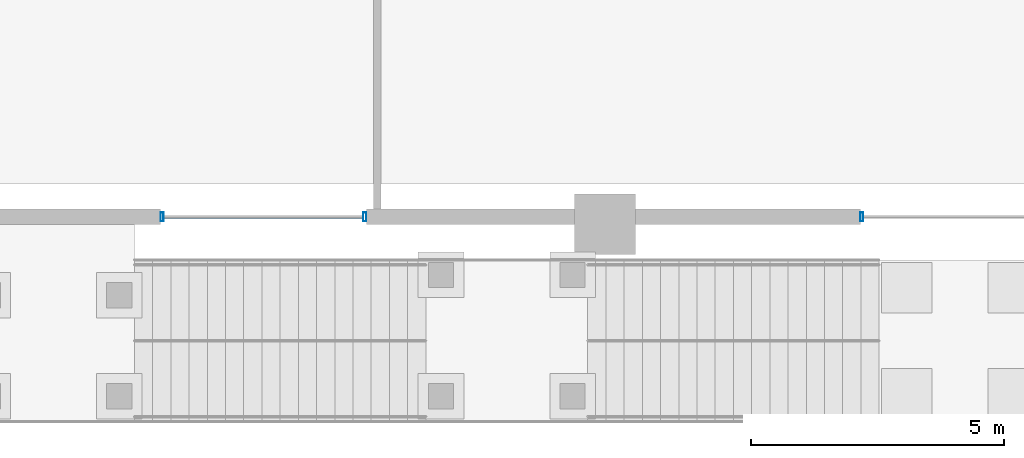
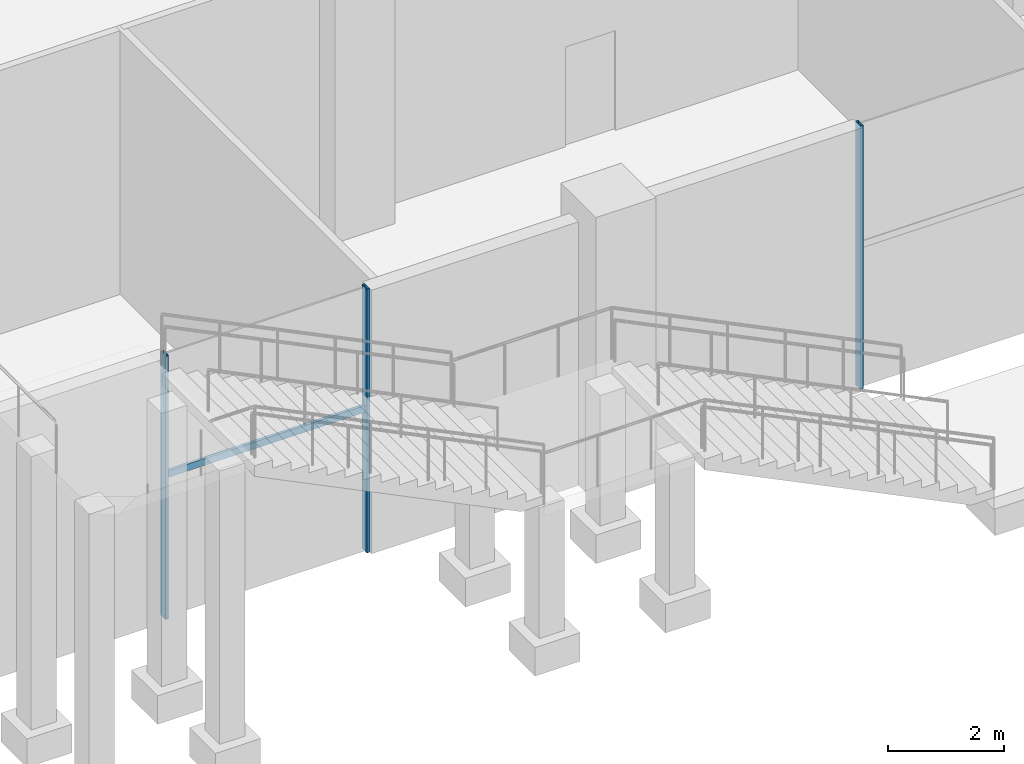
# One storey, part 8 of 68: 4 members, 2 elements without a shape of their own.
"""IFC4 building model written with IfcOpenShell, lengths in metres."""

from ifc_helpers import new_model, si_unit, direction, frame, origin, origin_2d, place, context, subcontext, project, spatial, hollow_rectangle, extrude, material, material_profile, profile_set, type_object, element, aggregate, save


model = new_model("IFC4")

# Units and contexts
model_context = context("Model", 3, precision=1e-05, world=origin(), true_north=direction((0.0, 1.0)))
body_context = subcontext(model_context, "Body", "Model", "MODEL_VIEW")
ifc_project = project(units=[si_unit("LENGTHUNIT", "METRE"), si_unit("AREAUNIT", "SQUARE_METRE"), si_unit("VOLUMEUNIT", "CUBIC_METRE"), si_unit("PLANEANGLEUNIT", "RADIAN"), si_unit("MASSUNIT", "GRAM", prefix="KILO")], contexts=[model_context])

# Site, building, storey
site_placement = place(None, origin())
site = spatial("IfcSite", under=ifc_project, at=site_placement, CompositionType="ELEMENT")
building_placement = place(site_placement, origin())
building = spatial("IfcBuilding", under=site, at=building_placement, Name="Altepetl Exchange Towers", CompositionType="ELEMENT")
storey_placement = place(building_placement, origin())
storey = spatial("IfcBuildingStorey", under=building, at=storey_placement, Name="L00 Ground concourse", CompositionType="ELEMENT", Elevation=0.0)

# Curtain wall, members
ifc_material_1 = material(Name="Aluminium 6063-T6 glazing", Category="aluminium")
curtain_wall_type = type_object("IfcCurtainWallType", Name="Podium storefront system", PredefinedType="NOTDEFINED", material=ifc_material_1)
curtain_wall_1_placement = place(storey_placement, origin())
curtain_wall_1 = element("IfcCurtainWall", 1, at=curtain_wall_1_placement, inside=storey, type_object=curtain_wall_type, Name="CW5 run", PredefinedType="NOTDEFINED")
ifc_material_2 = material(Name="Aluminium 6063-T6", Category="aluminium")
ifc_material_profile_1 = material_profile(ifc_material_2, hollow_rectangle(XDim=0.06005859375, YDim=0.175048828125, WallThickness=0.0029296875, at=origin_2d()), Name="Mullion 60x175 aluminium")
ifc_profile_set_1 = profile_set([ifc_material_profile_1], Name="Aluminium 6063-T6")
member_type_1 = type_object("IfcMemberType", Name="Mullion 60x175 aluminium", PredefinedType="MULLION", material=ifc_profile_set_1)
member_1_placement = place(storey_placement, frame((40.74658203125, 0.14990234375, 0.0)))
member_1 = element("IfcMember", 2, at=member_1_placement, type_object=member_type_1, Name="MU4 mullion", PredefinedType="MULLION", context=body_context, shape_type="SweptSolid", body=[
    extrude(hollow_rectangle(XDim=0.06005859375, YDim=0.175048828125, WallThickness=0.0029296875, at=origin_2d()), origin(), (0.0, 0.0, 1.0), 5.550048828125),
])
member_2_placement = place(storey_placement, frame((44.75341796875, 0.14990234375, 0.0)))
member_2 = element("IfcMember", 3, at=member_2_placement, type_object=member_type_1, Name="MU4 mullion", PredefinedType="MULLION", context=body_context, shape_type="SweptSolid", body=[
    extrude(hollow_rectangle(XDim=0.06005859375, YDim=0.175048828125, WallThickness=0.0029296875, at=origin_2d()), origin(), (0.0, 0.0, 1.0), 5.550048828125),
])

# Curtain wall, member
curtain_wall_2_placement = place(storey_placement, origin())
curtain_wall_2 = element("IfcCurtainWall", 4, at=curtain_wall_2_placement, inside=storey, type_object=curtain_wall_type, Name="CW5 run", PredefinedType="NOTDEFINED")
member_3_placement = place(storey_placement, frame((54.580078125, 0.14990234375, 0.0)))
member_3 = element("IfcMember", 5, at=member_3_placement, type_object=member_type_1, Name="MU4 mullion", PredefinedType="MULLION", context=body_context, shape_type="SweptSolid", body=[
    extrude(hollow_rectangle(XDim=0.06005859375, YDim=0.175048828125, WallThickness=0.0029296875, at=origin_2d()), origin(), (0.0, 0.0, 1.0), 5.550048828125),
])
aggregate(curtain_wall_2, [member_3])

# Member
ifc_material_profile_2 = material_profile(ifc_material_2, hollow_rectangle(XDim=0.06005859375, YDim=0.139892578125, WallThickness=0.0029296875, at=origin_2d()), Name="Transom 60x140 aluminium")
ifc_profile_set_2 = profile_set([ifc_material_profile_2], Name="Aluminium 6063-T6")
member_type_2 = type_object("IfcMemberType", Name="Transom 60x140 aluminium", PredefinedType="USERDEFINED", material=ifc_profile_set_2)
member_4_placement = place(storey_placement, frame((40.776611328125, 0.14990234375, 3.0), z_axis=(1.0, 0.0, 0.0), x_axis=(0.0, 1.0, 0.0)))
member_4 = element("IfcMember", 6, at=member_4_placement, type_object=member_type_2, Name="TR3 transom", ObjectType="TRANSOM", PredefinedType="USERDEFINED", context=body_context, shape_type="SweptSolid", body=[
    extrude(hollow_rectangle(XDim=0.06005859375, YDim=0.139892578125, WallThickness=0.0029296875, at=origin_2d()), origin(), (0.0, 0.0, 1.0), 3.94677734375),
])

aggregate(curtain_wall_1, [member_1, member_2, member_4])

save(model, "model.ifc")
